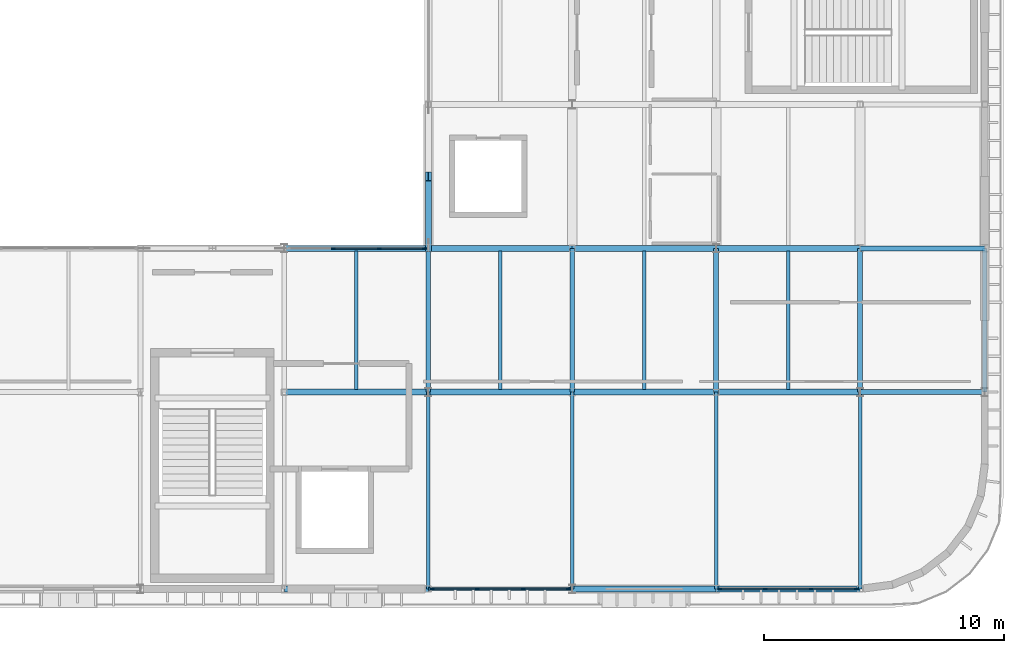
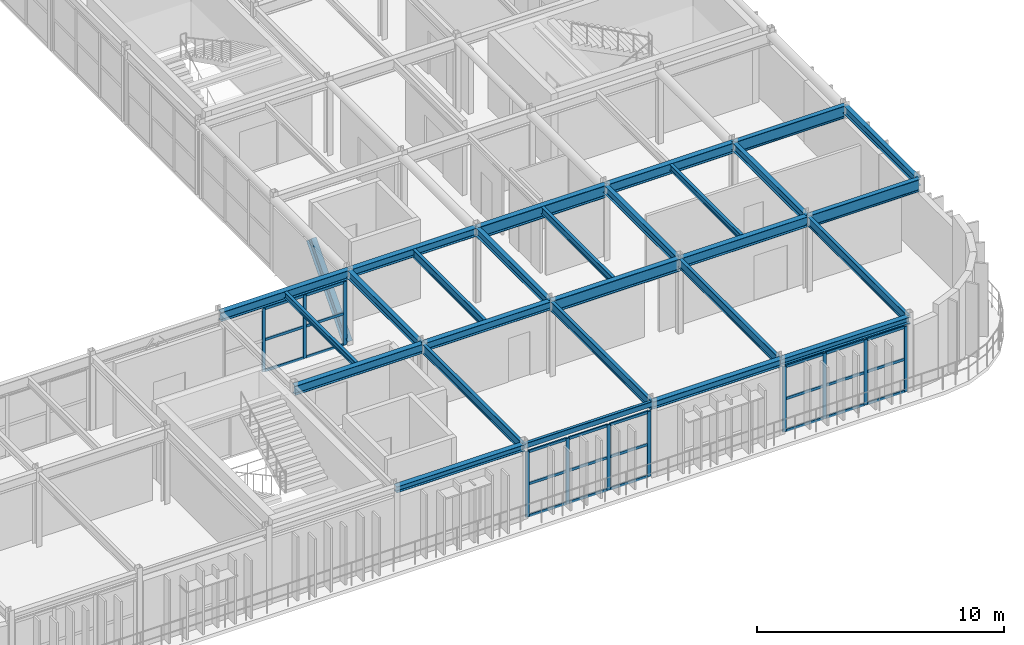
# One storey, part 40 of 63: 36 members, 27 beams, 3 elements without a shape of their own.
"""IFC4 building model written with IfcOpenShell, lengths in metres."""

from ifc_helpers import new_model, si_unit, direction, frame, origin, origin_2d, place, context, subcontext, project, spatial, rectangle, hollow_rectangle, i_section, extrude, material, material_profile, profile_set, type_object, element, aggregate, save


model = new_model("IFC4")

# Units and contexts
model_context = context("Model", 3, precision=1e-05, world=origin(), true_north=direction((0.0, 1.0)))
body_context = subcontext(model_context, "Body", "Model", "MODEL_VIEW")
ifc_project = project(units=[si_unit("LENGTHUNIT", "METRE"), si_unit("AREAUNIT", "SQUARE_METRE"), si_unit("VOLUMEUNIT", "CUBIC_METRE"), si_unit("PLANEANGLEUNIT", "RADIAN"), si_unit("MASSUNIT", "GRAM", prefix="KILO")], contexts=[model_context])

# Site, building, storey
site_placement = place(None, origin())
site = spatial("IfcSite", under=ifc_project, at=site_placement, CompositionType="ELEMENT")
building_placement = place(site_placement, origin())
building = spatial("IfcBuilding", under=site, at=building_placement, Name="Varnakota Square Police Headquarters", CompositionType="ELEMENT")
storey_placement = place(building_placement, frame((0.0, 0.0, 22.199951171875)))
storey = spatial("IfcBuildingStorey", under=building, at=storey_placement, Name="L05", CompositionType="ELEMENT", Elevation=22.199951171875)

# Beams
ifc_material_1 = material(Name="Steel IS 2062 Grade 350", Category="steel")
ifc_material_profile_1 = material_profile(ifc_material_1, hollow_rectangle(XDim=0.14990234375, YDim=0.25, WallThickness=0.010009765625, InnerFilletRadius=0.010009765625, OuterFilletRadius=0.02001953125, at=origin_2d()), Name="RHS 250x150x10")
ifc_profile_set_1 = profile_set([ifc_material_profile_1], Name="Steel IS 2062 Grade 350")
beam_type_1 = type_object("IfcBeamType", Name="BM-CBEAM-RHS250", PredefinedType="BEAM", material=ifc_profile_set_1)
beam_1_placement = place(storey_placement, frame((138.0, 0.800048828125, 3.56494140625), z_axis=(1.0, 0.0, 0.0), x_axis=(0.0, 1.0, 0.0)))
element("IfcBeam", 1, at=beam_1_placement, inside=storey, type_object=beam_type_1, Name="BMG-L05-3077", PredefinedType="BEAM", context=body_context, shape_type="SweptSolid", body=[
    extrude(hollow_rectangle(XDim=0.14990234375, YDim=0.25, WallThickness=0.010009765625, InnerFilletRadius=0.010009765625, OuterFilletRadius=0.02001953125, at=origin_2d()), origin(), (0.0, 0.0, 1.0), 6.0),
])
ifc_material_profile_2 = material_profile(ifc_material_1, i_section(OverallWidth=0.25, OverallDepth=0.300048828125, WebThickness=0.009521484375, FlangeThickness=0.010498046875, FilletRadius=0.011962890625, at=origin_2d()), Name="ISHB 300")
ifc_profile_set_2 = profile_set([ifc_material_profile_2], Name="Steel IS 2062 Grade 350")
beam_type_2 = type_object("IfcBeamType", Name="BM-ISHB300", PredefinedType="BEAM", material=ifc_profile_set_2)
for number, where, z_axis, x_axis, name in (
    (2, (132.0, 0.800048828125, 3.5400390625), (1.0, 0.0, 0.0), (0.0, 1.0, 0.0), "BMG-L05-3076"),
    (3, (150.0, 0.800048828125, 3.5400390625), (1.0, 0.0, 0.0), (0.0, 1.0, 0.0), "BMG-L05-3079"),
):
    element("IfcBeam", number, at=place(storey_placement, frame(where, z_axis=z_axis, x_axis=x_axis)), inside=storey, type_object=beam_type_2, Name=name, PredefinedType="BEAM", context=body_context, shape_type="SweptSolid", body=[
        extrude(i_section(OverallWidth=0.25, OverallDepth=0.300048828125, WebThickness=0.009521484375, FlangeThickness=0.010498046875, FilletRadius=0.011962890625, at=origin_2d()), origin(), (0.0, 0.0, 1.0), 6.0),
    ])
ifc_material_profile_3 = material_profile(ifc_material_1, i_section(OverallWidth=0.25, OverallDepth=0.35009765625, WebThickness=0.010009765625, FlangeThickness=0.01171875, FilletRadius=0.011962890625, at=origin_2d()), Name="ISHB 350")
ifc_profile_set_3 = profile_set([ifc_material_profile_3], Name="Steel IS 2062 Grade 350")
beam_type_3 = type_object("IfcBeamType", Name="BM-ISHB350", PredefinedType="BEAM", material=ifc_profile_set_3)
beam_2_placement = place(storey_placement, frame((144.0, 0.800048828125, 3.51513671875), z_axis=(1.0, 0.0, 0.0), x_axis=(0.0, 1.0, 0.0)))
element("IfcBeam", 4, at=beam_2_placement, inside=storey, type_object=beam_type_3, Name="BMG-L05-3078", PredefinedType="BEAM", context=body_context, shape_type="SweptSolid", body=[
    extrude(i_section(OverallWidth=0.25, OverallDepth=0.35009765625, WebThickness=0.010009765625, FlangeThickness=0.01171875, FilletRadius=0.011962890625, at=origin_2d()), origin(), (0.0, 0.0, 1.0), 6.0),
])
ifc_material_profile_4 = material_profile(ifc_material_1, i_section(OverallWidth=0.25, OverallDepth=0.39990234375, WebThickness=0.010498046875, FlangeThickness=0.0126953125, FilletRadius=0.013916015625, at=origin_2d()), Name="ISHB 400")
ifc_profile_set_4 = profile_set([ifc_material_profile_4], Name="Steel IS 2062 Grade 350")
beam_type_4 = type_object("IfcBeamType", Name="BM-ISHB400", PredefinedType="BEAM", material=ifc_profile_set_4)
for number, where, z_axis, x_axis, name in (
    (5, (138.0, 9.0, 3.489990234375), (1.0, 0.0, 0.0), (0.0, 1.0, 0.0), "BMG-L05-3084"),
    (6, (138.0, 15.0, 3.489990234375), (1.0, 0.0, 0.0), (0.0, 1.0, 0.0), "BMG-L05-3093"),
):
    element("IfcBeam", number, at=place(storey_placement, frame(where, z_axis=z_axis, x_axis=x_axis)), inside=storey, type_object=beam_type_4, Name=name, PredefinedType="BEAM", context=body_context, shape_type="SweptSolid", body=[
        extrude(i_section(OverallWidth=0.25, OverallDepth=0.39990234375, WebThickness=0.010498046875, FlangeThickness=0.0126953125, FilletRadius=0.013916015625, at=origin_2d()), origin(), (0.0, 0.0, 1.0), 6.0),
    ])
ifc_material_profile_5 = material_profile(ifc_material_1, i_section(OverallWidth=0.25, OverallDepth=0.449951171875, WebThickness=0.01123046875, FlangeThickness=0.013671875, FilletRadius=0.014892578125, at=origin_2d()), Name="ISHB 450")
ifc_profile_set_5 = profile_set([ifc_material_profile_5], Name="Steel IS 2062 Grade 350")
beam_type_5 = type_object("IfcBeamType", Name="BM-ISHB450", PredefinedType="BEAM", material=ifc_profile_set_5)
for number, where, z_axis, x_axis, name in (
    (7, (132.0, 9.0, 3.465087890625), (1.0, 0.0, 0.0), (0.0, 1.0, 0.0), "BMG-L05-3083"),
    (8, (132.0, 15.0, 3.465087890625), (1.0, 0.0, 0.0), (0.0, 1.0, 0.0), "BMG-L05-3092"),
):
    element("IfcBeam", number, at=place(storey_placement, frame(where, z_axis=z_axis, x_axis=x_axis)), inside=storey, type_object=beam_type_5, Name=name, PredefinedType="BEAM", context=body_context, shape_type="SweptSolid", body=[
        extrude(i_section(OverallWidth=0.25, OverallDepth=0.449951171875, WebThickness=0.01123046875, FlangeThickness=0.013671875, FilletRadius=0.014892578125, at=origin_2d()), origin(), (0.0, 0.0, 1.0), 6.0),
    ])
ifc_material_profile_6 = material_profile(ifc_material_1, i_section(OverallWidth=0.139892578125, OverallDepth=0.300048828125, WebThickness=0.0078125, FlangeThickness=0.01318359375, FilletRadius=0.013916015625, at=origin_2d()), Name="ISMB 300")
ifc_profile_set_6 = profile_set([ifc_material_profile_6], Name="Steel IS 2062 Grade 350")
beam_type_6 = type_object("IfcBeamType", Name="BM-ISMB300", PredefinedType="JOIST", material=ifc_profile_set_6)
for number, where, z_axis, x_axis, name in (
    (9, (135.0, 9.123046875, 3.5400390625), (0.0, 1.0, 0.0), (-1.0, 0.0, 0.0), "BMG-L05-3282"),
    (10, (153.0, 9.123046875, 3.5400390625), (0.0, 1.0, 0.0), (-1.0, 0.0, 0.0), "BMG-L05-3292"),
):
    element("IfcBeam", number, at=place(storey_placement, frame(where, z_axis=z_axis, x_axis=x_axis)), inside=storey, type_object=beam_type_6, Name=name, PredefinedType="JOIST", context=body_context, shape_type="SweptSolid", body=[
        extrude(i_section(OverallWidth=0.139892578125, OverallDepth=0.300048828125, WebThickness=0.0078125, FlangeThickness=0.01318359375, FilletRadius=0.013916015625, at=origin_2d()), origin(), (0.0, 0.0, 1.0), 5.75390625),
    ])
ifc_material_profile_7 = material_profile(ifc_material_1, i_section(OverallWidth=0.139892578125, OverallDepth=0.35009765625, WebThickness=0.008056640625, FlangeThickness=0.01416015625, FilletRadius=0.013916015625, at=origin_2d()), Name="ISMB 350")
ifc_profile_set_7 = profile_set([ifc_material_profile_7], Name="Steel IS 2062 Grade 350")
beam_type_7 = type_object("IfcBeamType", Name="BM-ISMB350", PredefinedType="JOIST", material=ifc_profile_set_7)
beam_3_placement = place(storey_placement, frame((147.0, 9.123046875, 3.51513671875), z_axis=(0.0, 1.0, 0.0), x_axis=(-1.0, 0.0, 0.0)))
element("IfcBeam", 11, at=beam_3_placement, inside=storey, type_object=beam_type_7, Name="BMG-L05-3286", PredefinedType="JOIST", context=body_context, shape_type="SweptSolid", body=[
    extrude(i_section(OverallWidth=0.139892578125, OverallDepth=0.35009765625, WebThickness=0.008056640625, FlangeThickness=0.01416015625, FilletRadius=0.013916015625, at=origin_2d()), origin(), (0.0, 0.0, 1.0), 5.75390625),
])
ifc_material_profile_8 = material_profile(ifc_material_1, i_section(OverallWidth=0.139892578125, OverallDepth=0.39990234375, WebThickness=0.0087890625, FlangeThickness=0.01611328125, FilletRadius=0.013916015625, at=origin_2d()), Name="ISMB 400")
ifc_profile_set_8 = profile_set([ifc_material_profile_8], Name="Steel IS 2062 Grade 350")
beam_type_8 = type_object("IfcBeamType", Name="BM-ISMB400", PredefinedType="JOIST", material=ifc_profile_set_8)
beam_4_placement = place(storey_placement, frame((141.0, 9.123046875, 3.489990234375), z_axis=(0.0, 1.0, 0.0), x_axis=(-1.0, 0.0, 0.0)))
element("IfcBeam", 12, at=beam_4_placement, inside=storey, type_object=beam_type_8, Name="BMG-L05-3283", PredefinedType="JOIST", context=body_context, shape_type="SweptSolid", body=[
    extrude(i_section(OverallWidth=0.139892578125, OverallDepth=0.39990234375, WebThickness=0.0087890625, FlangeThickness=0.01611328125, FilletRadius=0.013916015625, at=origin_2d()), origin(), (0.0, 0.0, 1.0), 5.75390625),
])
ifc_material_profile_9 = material_profile(ifc_material_1, i_section(OverallWidth=0.14990234375, OverallDepth=0.449951171875, WebThickness=0.009521484375, FlangeThickness=0.017333984375, FilletRadius=0.014892578125, at=origin_2d()), Name="ISMB 450")
ifc_profile_set_9 = profile_set([ifc_material_profile_9], Name="Steel IS 2062 Grade 350")
beam_type_9 = type_object("IfcBeamType", Name="BM-ISMB450", PredefinedType="BEAM", material=ifc_profile_set_9)
for number, where, z_axis, x_axis, name in (
    (13, (138.0, 0.800048828125, 3.465087890625), (0.0, 1.0, 0.0), (-1.0, 0.0, 0.0), "BMG-L05-3215"),
    (14, (144.0, 0.800048828125, 3.465087890625), (0.0, 1.0, 0.0), (-1.0, 0.0, 0.0), "BMG-L05-3222"),
    (15, (150.0, 0.800048828125, 3.465087890625), (0.0, 1.0, 0.0), (-1.0, 0.0, 0.0), "BMG-L05-3229"),
    (16, (156.0, 0.800048828125, 3.465087890625), (0.0, 1.0, 0.0), (-1.0, 0.0, 0.0), "BMG-L05-3236"),
):
    element("IfcBeam", number, at=place(storey_placement, frame(where, z_axis=z_axis, x_axis=x_axis)), inside=storey, type_object=beam_type_9, Name=name, PredefinedType="BEAM", context=body_context, shape_type="SweptSolid", body=[
        extrude(i_section(OverallWidth=0.14990234375, OverallDepth=0.449951171875, WebThickness=0.009521484375, FlangeThickness=0.017333984375, FilletRadius=0.014892578125, at=origin_2d()), origin(), (0.0, 0.0, 1.0), 8.199951171875),
    ])
ifc_material_profile_10 = material_profile(ifc_material_1, i_section(OverallWidth=0.2099609375, OverallDepth=0.60009765625, WebThickness=0.011962890625, FlangeThickness=0.020751953125, FilletRadius=0.02001953125, at=origin_2d()), Name="ISMB 600")
ifc_profile_set_10 = profile_set([ifc_material_profile_10], Name="Steel IS 2062 Grade 350")
beam_type_10 = type_object("IfcBeamType", Name="BM-ISMB600", PredefinedType="BEAM", material=ifc_profile_set_10)
for number, where, z_axis, x_axis, name in (
    (17, (156.0, 9.0, 3.39013671875), (1.0, 0.0, 0.0), (0.0, 1.0, 0.0), "BMG-L05-3087"),
    (18, (156.0, 15.0, 3.39013671875), (1.0, 0.0, 0.0), (0.0, 1.0, 0.0), "BMG-L05-3096"),
):
    element("IfcBeam", number, at=place(storey_placement, frame(where, z_axis=z_axis, x_axis=x_axis)), inside=storey, type_object=beam_type_10, Name=name, PredefinedType="BEAM", context=body_context, shape_type="SweptSolid", body=[
        extrude(i_section(OverallWidth=0.2099609375, OverallDepth=0.60009765625, WebThickness=0.011962890625, FlangeThickness=0.020751953125, FilletRadius=0.02001953125, at=origin_2d()), origin(), (0.0, 0.0, 1.0), 5.199951171875),
    ])
ifc_material_profile_11 = material_profile(ifc_material_1, i_section(OverallWidth=0.199951171875, OverallDepth=0.39990234375, WebThickness=0.008544921875, FlangeThickness=0.012939453125, FilletRadius=0.012939453125, at=origin_2d()), Name="ISWB 400")
ifc_profile_set_11 = profile_set([ifc_material_profile_11], Name="Steel IS 2062 Grade 350")
beam_type_11 = type_object("IfcBeamType", Name="BM-ISWB400", PredefinedType="BEAM", material=ifc_profile_set_11)
for number, where, z_axis, x_axis, name in (
    (19, (138.0, 9.0, 3.489990234375), (0.0, 1.0, 0.0), (-1.0, 0.0, 0.0), "BMG-L05-3216"),
    (20, (144.0, 9.0, 3.489990234375), (0.0, 1.0, 0.0), (-1.0, 0.0, 0.0), "BMG-L05-3223"),
    (21, (150.0, 9.0, 3.489990234375), (0.0, 1.0, 0.0), (-1.0, 0.0, 0.0), "BMG-L05-3230"),
    (22, (156.0, 9.0, 3.489990234375), (0.0, 1.0, 0.0), (-1.0, 0.0, 0.0), "BMG-L05-3237"),
    (23, (161.199951171875, 9.0, 3.489990234375), (0.0, 1.0, 0.0), (-1.0, 0.0, 0.0), "BMG-L05-3241"),
):
    element("IfcBeam", number, at=place(storey_placement, frame(where, z_axis=z_axis, x_axis=x_axis)), inside=storey, type_object=beam_type_11, Name=name, PredefinedType="BEAM", context=body_context, shape_type="SweptSolid", body=[
        extrude(i_section(OverallWidth=0.199951171875, OverallDepth=0.39990234375, WebThickness=0.008544921875, FlangeThickness=0.012939453125, FilletRadius=0.012939453125, at=origin_2d()), origin(), (0.0, 0.0, 1.0), 6.0),
    ])
ifc_material_profile_12 = material_profile(ifc_material_1, i_section(OverallWidth=0.25, OverallDepth=0.5, WebThickness=0.010009765625, FlangeThickness=0.0146484375, FilletRadius=0.014892578125, at=origin_2d()), Name="ISWB 500")
ifc_profile_set_12 = profile_set([ifc_material_profile_12], Name="Steel IS 2062 Grade 350")
beam_type_12 = type_object("IfcBeamType", Name="BM-ISWB500", PredefinedType="BEAM", material=ifc_profile_set_12)
for number, where, z_axis, x_axis, name in (
    (24, (150.0, 9.0, 3.43994140625), (1.0, 0.0, 0.0), (0.0, 1.0, 0.0), "BMG-L05-3086"),
    (25, (150.0, 15.0, 3.43994140625), (1.0, 0.0, 0.0), (0.0, 1.0, 0.0), "BMG-L05-3095"),
):
    element("IfcBeam", number, at=place(storey_placement, frame(where, z_axis=z_axis, x_axis=x_axis)), inside=storey, type_object=beam_type_12, Name=name, PredefinedType="BEAM", context=body_context, shape_type="SweptSolid", body=[
        extrude(i_section(OverallWidth=0.25, OverallDepth=0.5, WebThickness=0.010009765625, FlangeThickness=0.0146484375, FilletRadius=0.014892578125, at=origin_2d()), origin(), (0.0, 0.0, 1.0), 6.0),
    ])
ifc_material_profile_13 = material_profile(ifc_material_1, i_section(OverallWidth=0.25, OverallDepth=0.60009765625, WebThickness=0.01171875, FlangeThickness=0.023681640625, FilletRadius=0.01708984375, at=origin_2d()), Name="ISWB 600")
ifc_profile_set_13 = profile_set([ifc_material_profile_13], Name="Steel IS 2062 Grade 350")
beam_type_13 = type_object("IfcBeamType", Name="BM-ISWB600", PredefinedType="BEAM", material=ifc_profile_set_13)
for number, where, z_axis, x_axis, name in (
    (26, (144.0, 9.0, 3.39013671875), (1.0, 0.0, 0.0), (0.0, 1.0, 0.0), "BMG-L05-3085"),
    (27, (144.0, 15.0, 3.39013671875), (1.0, 0.0, 0.0), (0.0, 1.0, 0.0), "BMG-L05-3094"),
):
    element("IfcBeam", number, at=place(storey_placement, frame(where, z_axis=z_axis, x_axis=x_axis)), inside=storey, type_object=beam_type_13, Name=name, PredefinedType="BEAM", context=body_context, shape_type="SweptSolid", body=[
        extrude(i_section(OverallWidth=0.25, OverallDepth=0.60009765625, WebThickness=0.01171875, FlangeThickness=0.023681640625, FilletRadius=0.01708984375, at=origin_2d()), origin(), (0.0, 0.0, 1.0), 6.0),
    ])

# Curtain wall, members
ifc_material_2 = material(Name="Anodised Aluminium Framing", Category="aluminium")
curtain_wall_type_1 = type_object("IfcCurtainWallType", Name="CW-SYS-C", PredefinedType="NOTDEFINED", material=ifc_material_2)
curtain_wall_1_placement = place(storey_placement, origin())
curtain_wall_1 = element("IfcCurtainWall", 28, at=curtain_wall_1_placement, inside=storey, type_object=curtain_wall_type_1, Name="Unitised curtain wall CWG-L05-100", PredefinedType="NOTDEFINED")
ifc_material_3 = material(Name="Anodised Aluminium 6063-T6", Category="aluminium")
ifc_material_profile_14 = material_profile(ifc_material_3, rectangle(XDim=0.06494140625, YDim=0.159912109375, at=origin_2d()), Name="ALU MULLION 65x160")
ifc_profile_set_14 = profile_set([ifc_material_profile_14], Name="Anodised Aluminium 6063-T6")
member_type_1 = type_object("IfcMemberType", Name="CWM-150", PredefinedType="MULLION", material=ifc_profile_set_14)
member_1_placement = place(storey_placement, frame((138.16259765625, 0.800048828125, 0.0), z_axis=(0.0, 0.0, 1.0), x_axis=(0.0, 1.0, 0.0)))
member_1 = element("IfcMember", 29, at=member_1_placement, type_object=member_type_1, Name="CWG-L05-100 mullion 1", PredefinedType="MULLION", context=body_context, shape_type="SweptSolid", body=[
    extrude(rectangle(XDim=0.06494140625, YDim=0.159912109375, at=origin_2d()), origin(), (0.0, 0.0, 1.0), 3.22998046875),
])
member_2_placement = place(storey_placement, frame((140.043212890625, 0.800048828125, 0.0), z_axis=(0.0, 0.0, 1.0), x_axis=(0.0, 1.0, 0.0)))
member_2 = element("IfcMember", 30, at=member_2_placement, type_object=member_type_1, Name="CWG-L05-100 mullion 2", PredefinedType="MULLION", context=body_context, shape_type="SweptSolid", body=[
    extrude(rectangle(XDim=0.06494140625, YDim=0.159912109375, at=origin_2d()), origin(), (0.0, 0.0, 1.0), 3.22998046875),
])
member_3_placement = place(storey_placement, frame((141.956787109375, 0.800048828125, 0.0), z_axis=(0.0, 0.0, 1.0), x_axis=(0.0, 1.0, 0.0)))
member_3 = element("IfcMember", 31, at=member_3_placement, type_object=member_type_1, Name="CWG-L05-100 mullion 3", PredefinedType="MULLION", context=body_context, shape_type="SweptSolid", body=[
    extrude(rectangle(XDim=0.06494140625, YDim=0.159912109375, at=origin_2d()), origin(), (0.0, 0.0, 1.0), 3.22998046875),
])
member_4_placement = place(storey_placement, frame((143.83740234375, 0.800048828125, 0.0), z_axis=(0.0, 0.0, 1.0), x_axis=(0.0, 1.0, 0.0)))
member_4 = element("IfcMember", 32, at=member_4_placement, type_object=member_type_1, Name="CWG-L05-100 mullion 4", PredefinedType="MULLION", context=body_context, shape_type="SweptSolid", body=[
    extrude(rectangle(XDim=0.06494140625, YDim=0.159912109375, at=origin_2d()), origin(), (0.0, 0.0, 1.0), 3.22998046875),
])

curtain_wall_2_placement = place(storey_placement, origin())
curtain_wall_2 = element("IfcCurtainWall", 33, at=curtain_wall_2_placement, inside=storey, type_object=curtain_wall_type_1, Name="Unitised curtain wall CWG-L05-101", PredefinedType="NOTDEFINED")
member_5_placement = place(storey_placement, frame((150.16259765625, 0.800048828125, 0.0), z_axis=(0.0, 0.0, 1.0), x_axis=(0.0, 1.0, 0.0)))
member_5 = element("IfcMember", 34, at=member_5_placement, type_object=member_type_1, Name="CWG-L05-101 mullion 1", PredefinedType="MULLION", context=body_context, shape_type="SweptSolid", body=[
    extrude(rectangle(XDim=0.06494140625, YDim=0.159912109375, at=origin_2d()), origin(), (0.0, 0.0, 1.0), 3.22998046875),
])
member_6_placement = place(storey_placement, frame((152.043212890625, 0.800048828125, 0.0), z_axis=(0.0, 0.0, 1.0), x_axis=(0.0, 1.0, 0.0)))
member_6 = element("IfcMember", 35, at=member_6_placement, type_object=member_type_1, Name="CWG-L05-101 mullion 2", PredefinedType="MULLION", context=body_context, shape_type="SweptSolid", body=[
    extrude(rectangle(XDim=0.06494140625, YDim=0.159912109375, at=origin_2d()), origin(), (0.0, 0.0, 1.0), 3.22998046875),
])
member_7_placement = place(storey_placement, frame((153.956787109375, 0.800048828125, 0.0), z_axis=(0.0, 0.0, 1.0), x_axis=(0.0, 1.0, 0.0)))
member_7 = element("IfcMember", 36, at=member_7_placement, type_object=member_type_1, Name="CWG-L05-101 mullion 3", PredefinedType="MULLION", context=body_context, shape_type="SweptSolid", body=[
    extrude(rectangle(XDim=0.06494140625, YDim=0.159912109375, at=origin_2d()), origin(), (0.0, 0.0, 1.0), 3.22998046875),
])
member_8_placement = place(storey_placement, frame((155.83740234375, 0.800048828125, 0.0), z_axis=(0.0, 0.0, 1.0), x_axis=(0.0, 1.0, 0.0)))
member_8 = element("IfcMember", 37, at=member_8_placement, type_object=member_type_1, Name="CWG-L05-101 mullion 4", PredefinedType="MULLION", context=body_context, shape_type="SweptSolid", body=[
    extrude(rectangle(XDim=0.06494140625, YDim=0.159912109375, at=origin_2d()), origin(), (0.0, 0.0, 1.0), 3.22998046875),
])

curtain_wall_type_2 = type_object("IfcCurtainWallType", Name="CW-SYS-D", PredefinedType="NOTDEFINED", material=ifc_material_2)
curtain_wall_3_placement = place(storey_placement, origin())
curtain_wall_3 = element("IfcCurtainWall", 38, at=curtain_wall_3_placement, inside=storey, type_object=curtain_wall_type_2, Name="Unitised curtain wall CWG-L05-105", PredefinedType="NOTDEFINED")
member_9_placement = place(storey_placement, frame((134.043212890625, 15.0, 0.0), z_axis=(0.0, 0.0, 1.0), x_axis=(0.0, 1.0, 0.0)))
member_9 = element("IfcMember", 39, at=member_9_placement, type_object=member_type_1, Name="CWG-L05-105 mullion 2", PredefinedType="MULLION", context=body_context, shape_type="SweptSolid", body=[
    extrude(rectangle(XDim=0.06494140625, YDim=0.159912109375, at=origin_2d()), origin(), (0.0, 0.0, 1.0), 3.130126953125),
])
member_10_placement = place(storey_placement, frame((135.956787109375, 15.0, 0.0), z_axis=(0.0, 0.0, 1.0), x_axis=(0.0, 1.0, 0.0)))
member_10 = element("IfcMember", 40, at=member_10_placement, type_object=member_type_1, Name="CWG-L05-105 mullion 3", PredefinedType="MULLION", context=body_context, shape_type="SweptSolid", body=[
    extrude(rectangle(XDim=0.06494140625, YDim=0.159912109375, at=origin_2d()), origin(), (0.0, 0.0, 1.0), 3.130126953125),
])
member_11_placement = place(storey_placement, frame((137.83740234375, 15.0, 0.0), z_axis=(0.0, 0.0, 1.0), x_axis=(0.0, 1.0, 0.0)))
member_11 = element("IfcMember", 41, at=member_11_placement, type_object=member_type_1, Name="CWG-L05-105 mullion 4", PredefinedType="MULLION", context=body_context, shape_type="SweptSolid", body=[
    extrude(rectangle(XDim=0.06494140625, YDim=0.159912109375, at=origin_2d()), origin(), (0.0, 0.0, 1.0), 3.130126953125),
])

# Member
ifc_material_profile_15 = material_profile(ifc_material_3, rectangle(XDim=0.06494140625, YDim=0.1298828125, at=origin_2d()), Name="ALU TRANSOM 65x130")
ifc_profile_set_15 = profile_set([ifc_material_profile_15], Name="Anodised Aluminium 6063-T6")
member_type_2 = type_object("IfcMemberType", Name="CWT-120", PredefinedType="USERDEFINED", material=ifc_profile_set_15)
member_12_placement = place(storey_placement, frame((138.195068359375, 0.800048828125, 0.032470703125), z_axis=(1.0, 0.0, 0.0), x_axis=(0.0, 1.0, 0.0)))
member_12 = element("IfcMember", 42, at=member_12_placement, type_object=member_type_2, Name="CWG-L05-100 transom 1.1", ObjectType="TRANSOM", PredefinedType="USERDEFINED", context=body_context, shape_type="SweptSolid", body=[
    extrude(rectangle(XDim=0.06494140625, YDim=0.1298828125, at=origin_2d()), origin(), (0.0, 0.0, 1.0), 1.815673828125),
])

member_13_placement = place(storey_placement, frame((138.195068359375, 0.800048828125, 1.614990234375), z_axis=(1.0, 0.0, 0.0), x_axis=(0.0, 1.0, 0.0)))
member_13 = element("IfcMember", 43, at=member_13_placement, type_object=member_type_2, Name="CWG-L05-100 transom 1.2", ObjectType="TRANSOM", PredefinedType="USERDEFINED", context=body_context, shape_type="SweptSolid", body=[
    extrude(rectangle(XDim=0.06494140625, YDim=0.1298828125, at=origin_2d()), origin(), (0.0, 0.0, 1.0), 1.815673828125),
])

member_14_placement = place(storey_placement, frame((138.195068359375, 0.800048828125, 3.197509765625), z_axis=(1.0, 0.0, 0.0), x_axis=(0.0, 1.0, 0.0)))
member_14 = element("IfcMember", 44, at=member_14_placement, type_object=member_type_2, Name="CWG-L05-100 transom 1.3", ObjectType="TRANSOM", PredefinedType="USERDEFINED", context=body_context, shape_type="SweptSolid", body=[
    extrude(rectangle(XDim=0.06494140625, YDim=0.1298828125, at=origin_2d()), origin(), (0.0, 0.0, 1.0), 1.815673828125),
])

member_15_placement = place(storey_placement, frame((140.075927734375, 0.800048828125, 0.032470703125), z_axis=(1.0, 0.0, 0.0), x_axis=(0.0, 1.0, 0.0)))
member_15 = element("IfcMember", 45, at=member_15_placement, type_object=member_type_2, Name="CWG-L05-100 transom 2.1", ObjectType="TRANSOM", PredefinedType="USERDEFINED", context=body_context, shape_type="SweptSolid", body=[
    extrude(rectangle(XDim=0.06494140625, YDim=0.1298828125, at=origin_2d()), origin(), (0.0, 0.0, 1.0), 1.84814453125),
])

member_16_placement = place(storey_placement, frame((140.075927734375, 0.800048828125, 1.614990234375), z_axis=(1.0, 0.0, 0.0), x_axis=(0.0, 1.0, 0.0)))
member_16 = element("IfcMember", 46, at=member_16_placement, type_object=member_type_2, Name="CWG-L05-100 transom 2.2", ObjectType="TRANSOM", PredefinedType="USERDEFINED", context=body_context, shape_type="SweptSolid", body=[
    extrude(rectangle(XDim=0.06494140625, YDim=0.1298828125, at=origin_2d()), origin(), (0.0, 0.0, 1.0), 1.84814453125),
])

member_17_placement = place(storey_placement, frame((140.075927734375, 0.800048828125, 3.197509765625), z_axis=(1.0, 0.0, 0.0), x_axis=(0.0, 1.0, 0.0)))
member_17 = element("IfcMember", 47, at=member_17_placement, type_object=member_type_2, Name="CWG-L05-100 transom 2.3", ObjectType="TRANSOM", PredefinedType="USERDEFINED", context=body_context, shape_type="SweptSolid", body=[
    extrude(rectangle(XDim=0.06494140625, YDim=0.1298828125, at=origin_2d()), origin(), (0.0, 0.0, 1.0), 1.84814453125),
])

member_18_placement = place(storey_placement, frame((141.9892578125, 0.800048828125, 0.032470703125), z_axis=(1.0, 0.0, 0.0), x_axis=(0.0, 1.0, 0.0)))
member_18 = element("IfcMember", 48, at=member_18_placement, type_object=member_type_2, Name="CWG-L05-100 transom 3.1", ObjectType="TRANSOM", PredefinedType="USERDEFINED", context=body_context, shape_type="SweptSolid", body=[
    extrude(rectangle(XDim=0.06494140625, YDim=0.1298828125, at=origin_2d()), origin(), (0.0, 0.0, 1.0), 1.815673828125),
])

member_19_placement = place(storey_placement, frame((141.9892578125, 0.800048828125, 1.614990234375), z_axis=(1.0, 0.0, 0.0), x_axis=(0.0, 1.0, 0.0)))
member_19 = element("IfcMember", 49, at=member_19_placement, type_object=member_type_2, Name="CWG-L05-100 transom 3.2", ObjectType="TRANSOM", PredefinedType="USERDEFINED", context=body_context, shape_type="SweptSolid", body=[
    extrude(rectangle(XDim=0.06494140625, YDim=0.1298828125, at=origin_2d()), origin(), (0.0, 0.0, 1.0), 1.815673828125),
])

member_20_placement = place(storey_placement, frame((141.9892578125, 0.800048828125, 3.197509765625), z_axis=(1.0, 0.0, 0.0), x_axis=(0.0, 1.0, 0.0)))
member_20 = element("IfcMember", 50, at=member_20_placement, type_object=member_type_2, Name="CWG-L05-100 transom 3.3", ObjectType="TRANSOM", PredefinedType="USERDEFINED", context=body_context, shape_type="SweptSolid", body=[
    extrude(rectangle(XDim=0.06494140625, YDim=0.1298828125, at=origin_2d()), origin(), (0.0, 0.0, 1.0), 1.815673828125),
])

aggregate(curtain_wall_1, [member_1, member_2, member_3, member_4, member_12, member_13, member_14, member_15, member_16, member_17, member_18, member_19, member_20])

member_21_placement = place(storey_placement, frame((150.195068359375, 0.800048828125, 0.032470703125), z_axis=(1.0, 0.0, 0.0), x_axis=(0.0, 1.0, 0.0)))
member_21 = element("IfcMember", 51, at=member_21_placement, type_object=member_type_2, Name="CWG-L05-101 transom 1.1", ObjectType="TRANSOM", PredefinedType="USERDEFINED", context=body_context, shape_type="SweptSolid", body=[
    extrude(rectangle(XDim=0.06494140625, YDim=0.1298828125, at=origin_2d()), origin(), (0.0, 0.0, 1.0), 1.815673828125),
])

member_22_placement = place(storey_placement, frame((150.195068359375, 0.800048828125, 1.614990234375), z_axis=(1.0, 0.0, 0.0), x_axis=(0.0, 1.0, 0.0)))
member_22 = element("IfcMember", 52, at=member_22_placement, type_object=member_type_2, Name="CWG-L05-101 transom 1.2", ObjectType="TRANSOM", PredefinedType="USERDEFINED", context=body_context, shape_type="SweptSolid", body=[
    extrude(rectangle(XDim=0.06494140625, YDim=0.1298828125, at=origin_2d()), origin(), (0.0, 0.0, 1.0), 1.815673828125),
])

member_23_placement = place(storey_placement, frame((150.195068359375, 0.800048828125, 3.197509765625), z_axis=(1.0, 0.0, 0.0), x_axis=(0.0, 1.0, 0.0)))
member_23 = element("IfcMember", 53, at=member_23_placement, type_object=member_type_2, Name="CWG-L05-101 transom 1.3", ObjectType="TRANSOM", PredefinedType="USERDEFINED", context=body_context, shape_type="SweptSolid", body=[
    extrude(rectangle(XDim=0.06494140625, YDim=0.1298828125, at=origin_2d()), origin(), (0.0, 0.0, 1.0), 1.815673828125),
])

member_24_placement = place(storey_placement, frame((152.075927734375, 0.800048828125, 0.032470703125), z_axis=(1.0, 0.0, 0.0), x_axis=(0.0, 1.0, 0.0)))
member_24 = element("IfcMember", 54, at=member_24_placement, type_object=member_type_2, Name="CWG-L05-101 transom 2.1", ObjectType="TRANSOM", PredefinedType="USERDEFINED", context=body_context, shape_type="SweptSolid", body=[
    extrude(rectangle(XDim=0.06494140625, YDim=0.1298828125, at=origin_2d()), origin(), (0.0, 0.0, 1.0), 1.84814453125),
])

member_25_placement = place(storey_placement, frame((152.075927734375, 0.800048828125, 1.614990234375), z_axis=(1.0, 0.0, 0.0), x_axis=(0.0, 1.0, 0.0)))
member_25 = element("IfcMember", 55, at=member_25_placement, type_object=member_type_2, Name="CWG-L05-101 transom 2.2", ObjectType="TRANSOM", PredefinedType="USERDEFINED", context=body_context, shape_type="SweptSolid", body=[
    extrude(rectangle(XDim=0.06494140625, YDim=0.1298828125, at=origin_2d()), origin(), (0.0, 0.0, 1.0), 1.84814453125),
])

member_26_placement = place(storey_placement, frame((152.075927734375, 0.800048828125, 3.197509765625), z_axis=(1.0, 0.0, 0.0), x_axis=(0.0, 1.0, 0.0)))
member_26 = element("IfcMember", 56, at=member_26_placement, type_object=member_type_2, Name="CWG-L05-101 transom 2.3", ObjectType="TRANSOM", PredefinedType="USERDEFINED", context=body_context, shape_type="SweptSolid", body=[
    extrude(rectangle(XDim=0.06494140625, YDim=0.1298828125, at=origin_2d()), origin(), (0.0, 0.0, 1.0), 1.84814453125),
])

member_27_placement = place(storey_placement, frame((153.9892578125, 0.800048828125, 0.032470703125), z_axis=(1.0, 0.0, 0.0), x_axis=(0.0, 1.0, 0.0)))
member_27 = element("IfcMember", 57, at=member_27_placement, type_object=member_type_2, Name="CWG-L05-101 transom 3.1", ObjectType="TRANSOM", PredefinedType="USERDEFINED", context=body_context, shape_type="SweptSolid", body=[
    extrude(rectangle(XDim=0.06494140625, YDim=0.1298828125, at=origin_2d()), origin(), (0.0, 0.0, 1.0), 1.815673828125),
])

member_28_placement = place(storey_placement, frame((153.9892578125, 0.800048828125, 1.614990234375), z_axis=(1.0, 0.0, 0.0), x_axis=(0.0, 1.0, 0.0)))
member_28 = element("IfcMember", 58, at=member_28_placement, type_object=member_type_2, Name="CWG-L05-101 transom 3.2", ObjectType="TRANSOM", PredefinedType="USERDEFINED", context=body_context, shape_type="SweptSolid", body=[
    extrude(rectangle(XDim=0.06494140625, YDim=0.1298828125, at=origin_2d()), origin(), (0.0, 0.0, 1.0), 1.815673828125),
])

member_29_placement = place(storey_placement, frame((153.9892578125, 0.800048828125, 3.197509765625), z_axis=(1.0, 0.0, 0.0), x_axis=(0.0, 1.0, 0.0)))
member_29 = element("IfcMember", 59, at=member_29_placement, type_object=member_type_2, Name="CWG-L05-101 transom 3.3", ObjectType="TRANSOM", PredefinedType="USERDEFINED", context=body_context, shape_type="SweptSolid", body=[
    extrude(rectangle(XDim=0.06494140625, YDim=0.1298828125, at=origin_2d()), origin(), (0.0, 0.0, 1.0), 1.815673828125),
])

aggregate(curtain_wall_2, [member_5, member_6, member_7, member_8, member_21, member_22, member_23, member_24, member_25, member_26, member_27, member_28, member_29])

member_30_placement = place(storey_placement, frame((134.075927734375, 15.0, 0.032470703125), z_axis=(1.0, 0.0, 0.0), x_axis=(0.0, 1.0, 0.0)))
member_30 = element("IfcMember", 60, at=member_30_placement, type_object=member_type_2, Name="CWG-L05-105 transom 2.1", ObjectType="TRANSOM", PredefinedType="USERDEFINED", context=body_context, shape_type="SweptSolid", body=[
    extrude(rectangle(XDim=0.06494140625, YDim=0.1298828125, at=origin_2d()), origin(), (0.0, 0.0, 1.0), 1.84814453125),
])

member_31_placement = place(storey_placement, frame((134.075927734375, 15.0, 1.56494140625), z_axis=(1.0, 0.0, 0.0), x_axis=(0.0, 1.0, 0.0)))
member_31 = element("IfcMember", 61, at=member_31_placement, type_object=member_type_2, Name="CWG-L05-105 transom 2.2", ObjectType="TRANSOM", PredefinedType="USERDEFINED", context=body_context, shape_type="SweptSolid", body=[
    extrude(rectangle(XDim=0.06494140625, YDim=0.1298828125, at=origin_2d()), origin(), (0.0, 0.0, 1.0), 1.84814453125),
])

member_32_placement = place(storey_placement, frame((134.075927734375, 15.0, 3.09765625), z_axis=(1.0, 0.0, 0.0), x_axis=(0.0, 1.0, 0.0)))
member_32 = element("IfcMember", 62, at=member_32_placement, type_object=member_type_2, Name="CWG-L05-105 transom 2.3", ObjectType="TRANSOM", PredefinedType="USERDEFINED", context=body_context, shape_type="SweptSolid", body=[
    extrude(rectangle(XDim=0.06494140625, YDim=0.1298828125, at=origin_2d()), origin(), (0.0, 0.0, 1.0), 1.84814453125),
])

member_33_placement = place(storey_placement, frame((135.9892578125, 15.0, 0.032470703125), z_axis=(1.0, 0.0, 0.0), x_axis=(0.0, 1.0, 0.0)))
member_33 = element("IfcMember", 63, at=member_33_placement, type_object=member_type_2, Name="CWG-L05-105 transom 3.1", ObjectType="TRANSOM", PredefinedType="USERDEFINED", context=body_context, shape_type="SweptSolid", body=[
    extrude(rectangle(XDim=0.06494140625, YDim=0.1298828125, at=origin_2d()), origin(), (0.0, 0.0, 1.0), 1.815673828125),
])

member_34_placement = place(storey_placement, frame((135.9892578125, 15.0, 1.56494140625), z_axis=(1.0, 0.0, 0.0), x_axis=(0.0, 1.0, 0.0)))
member_34 = element("IfcMember", 64, at=member_34_placement, type_object=member_type_2, Name="CWG-L05-105 transom 3.2", ObjectType="TRANSOM", PredefinedType="USERDEFINED", context=body_context, shape_type="SweptSolid", body=[
    extrude(rectangle(XDim=0.06494140625, YDim=0.1298828125, at=origin_2d()), origin(), (0.0, 0.0, 1.0), 1.815673828125),
])

member_35_placement = place(storey_placement, frame((135.9892578125, 15.0, 3.09765625), z_axis=(1.0, 0.0, 0.0), x_axis=(0.0, 1.0, 0.0)))
member_35 = element("IfcMember", 65, at=member_35_placement, type_object=member_type_2, Name="CWG-L05-105 transom 3.3", ObjectType="TRANSOM", PredefinedType="USERDEFINED", context=body_context, shape_type="SweptSolid", body=[
    extrude(rectangle(XDim=0.06494140625, YDim=0.1298828125, at=origin_2d()), origin(), (0.0, 0.0, 1.0), 1.815673828125),
])

aggregate(curtain_wall_3, [member_9, member_10, member_11, member_30, member_31, member_32, member_33, member_34, member_35])

ifc_material_profile_16 = material_profile(ifc_material_1, i_section(OverallWidth=0.25, OverallDepth=0.5, WebThickness=0.010009765625, FlangeThickness=0.0146484375, FilletRadius=0.014892578125, at=origin_2d()), Name="ISWB 500")
ifc_profile_set_16 = profile_set([ifc_material_profile_16], Name="Steel IS 2062 Grade 350")
member_type_3 = type_object("IfcMemberType", Name="MEM-BR-ISWB500", PredefinedType="BRACE", material=ifc_profile_set_16)
member_36_placement = place(storey_placement, frame((138.0, 15.050048828125, 0.02001953125), z_axis=(0.0, 0.663092355777, 0.748537592717), x_axis=(-1.0, 0.0, 0.0)))
element("IfcMember", 66, at=member_36_placement, inside=storey, type_object=member_type_3, Name="Lateral brace BF2 L05 left", PredefinedType="BRACE", context=body_context, shape_type="SweptSolid", body=[
    extrude(i_section(OverallWidth=0.25, OverallDepth=0.5, WebThickness=0.010009765625, FlangeThickness=0.0146484375, FilletRadius=0.014892578125, at=origin_2d()), origin(), (0.0, 0.0, 1.0), 4.44873046875),
])

save(model, "model.ifc")
